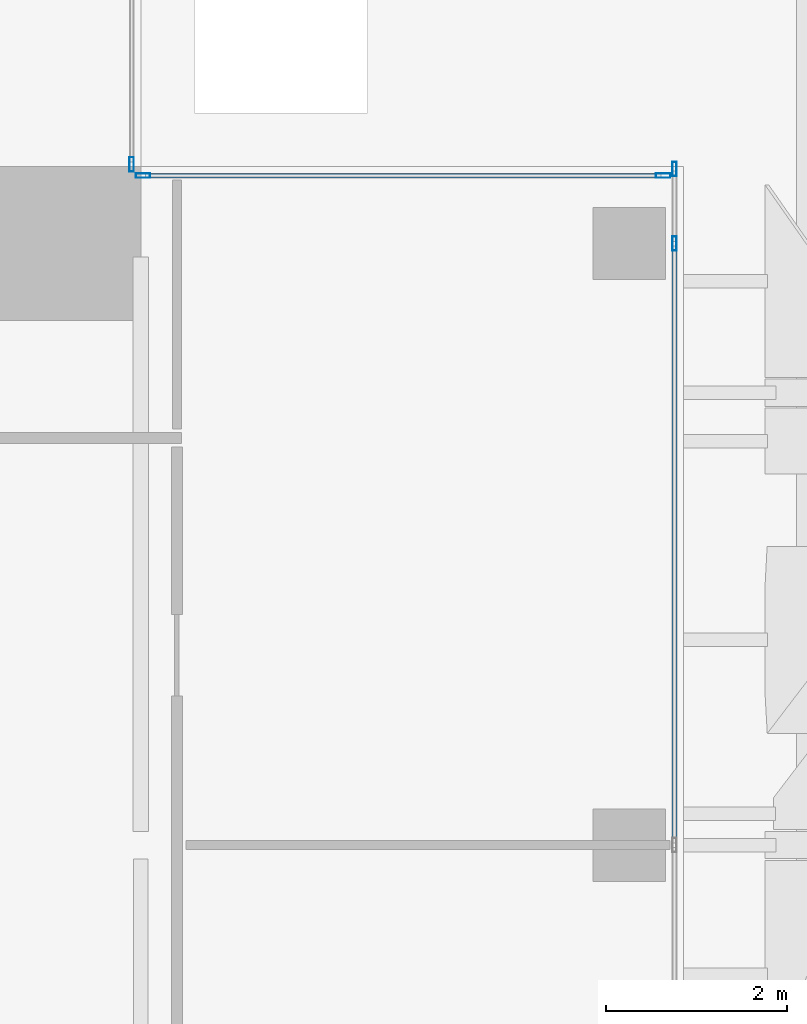
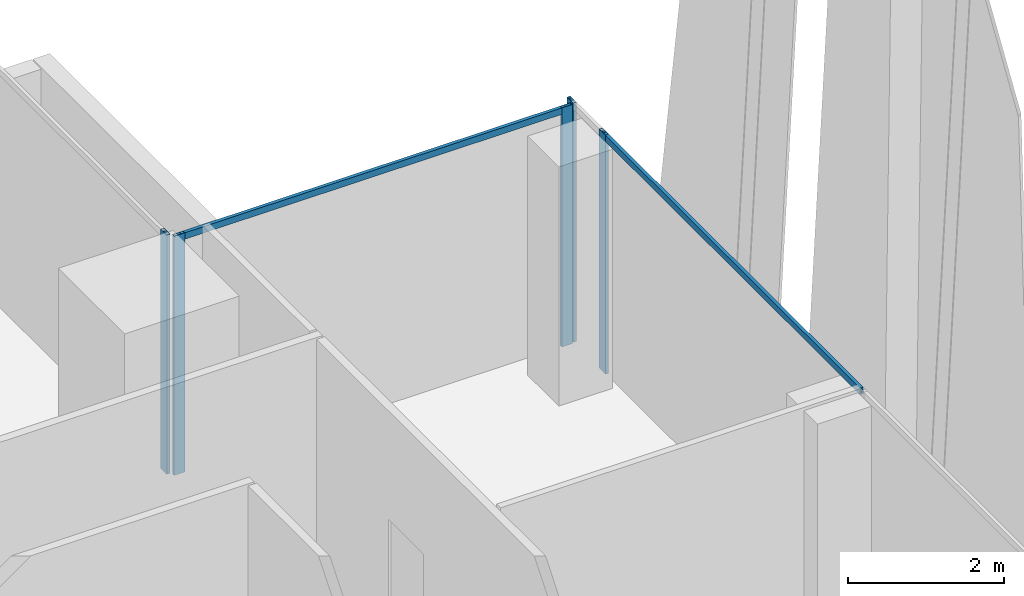
# One storey, part 17 of 32: 7 members, 3 elements without a shape of their own.
"""IFC4 building model written with IfcOpenShell, lengths in metres."""

from ifc_helpers import new_model, si_unit, direction, frame, origin, origin_2d, place, context, subcontext, project, spatial, hollow_rectangle, extrude, source, transform, mapped, material, material_profile, profile_set, type_object, element, aggregate, save


model = new_model("IFC4")

# Units and contexts
model_context = context("Model", 3, precision=1e-05, world=origin(), true_north=direction((0.0, 1.0)))
body_context = subcontext(model_context, "Body", "Model", "MODEL_VIEW")
ifc_project = project(units=[si_unit("LENGTHUNIT", "METRE"), si_unit("AREAUNIT", "SQUARE_METRE"), si_unit("VOLUMEUNIT", "CUBIC_METRE"), si_unit("PLANEANGLEUNIT", "RADIAN"), si_unit("MASSUNIT", "GRAM", prefix="KILO")], contexts=[model_context])

# Site, building, storey
site_placement = place(None, origin())
site = spatial("IfcSite", under=ifc_project, at=site_placement, CompositionType="ELEMENT")
building_placement = place(site_placement, origin())
building = spatial("IfcBuilding", under=site, at=building_placement, Name="Khomas Fold Tower", CompositionType="ELEMENT")
storey_placement = place(building_placement, frame((0.0, 0.0, 282.199951171875)))
storey = spatial("IfcBuildingStorey", under=building, at=storey_placement, Name="L63", CompositionType="ELEMENT", Elevation=282.199951171875)

# Curtain wall, members
ifc_material_1 = material(Name="Aluminium framed double glazing", Category="aluminium")
curtain_wall_type = type_object("IfcCurtainWallType", Name="SK-Unitised clear-glass wall, upper floors CW3", PredefinedType="NOTDEFINED", material=ifc_material_1)
curtain_wall_1_placement = place(storey_placement, origin())
curtain_wall_1 = element("IfcCurtainWall", 1, at=curtain_wall_1_placement, inside=storey, type_object=curtain_wall_type, Name="CW3 run L63 03-1", PredefinedType="NOTDEFINED")
ifc_material_2 = material(Name="Aluminium", Category="aluminium")
ifc_material_profile_1 = material_profile(ifc_material_2, hollow_rectangle(XDim=0.050048828125, YDim=0.159912109375, WallThickness=0.00390625, at=origin_2d()), Name="SK-Unitised clear-glass wall, upper floors mullion CW3-M")
ifc_profile_set_1 = profile_set([ifc_material_profile_1], Name="Aluminium")
member_type_1 = type_object("IfcMemberType", Name="SK-Unitised clear-glass wall, upper floors mullion CW3-M", PredefinedType="MULLION", material=ifc_profile_set_1)
shared_shape_1 = source(origin(), body_context, "Body", "SweptSolid", [
    extrude(hollow_rectangle(XDim=0.050048828125, YDim=0.159912109375, WallThickness=0.00390625, at=origin_2d()), origin(), (0.0, 0.0, 1.0), 3.75),
])
member_1_placement = place(storey_placement, frame((47.89990234375, 41.14990234375, 0.0), z_axis=(0.0, 0.0, 1.0), x_axis=(-1.0, 0.0, 0.0)))
member_1 = element("IfcMember", 2, at=member_1_placement, type_object=member_type_1, Name="CW3 mullion 4", PredefinedType="MULLION", context=body_context, shape_type="MappedRepresentation", body=[
    mapped(shared_shape_1, transform((0.0, 0.0, 0.0))),
])
member_2_placement = place(storey_placement, frame((47.89990234375, 41.97509765625, 0.0), z_axis=(0.0, 0.0, 1.0), x_axis=(-1.0, 0.0, 0.0)))
member_2 = element("IfcMember", 3, at=member_2_placement, type_object=member_type_1, Name="CW3 mullion 5", PredefinedType="MULLION", context=body_context, shape_type="MappedRepresentation", body=[
    mapped(shared_shape_1, transform((0.0, 0.0, 0.0))),
])

curtain_wall_2_placement = place(storey_placement, origin())
curtain_wall_2 = element("IfcCurtainWall", 4, at=curtain_wall_2_placement, inside=storey, type_object=curtain_wall_type, Name="CW3 corner return L63 04", PredefinedType="NOTDEFINED")
member_3_placement = place(storey_placement, frame((47.77490234375, 41.89990234375, 0.0), z_axis=(0.0, 0.0, 1.0), x_axis=(0.0, -1.0, 0.0)))
member_3 = element("IfcMember", 5, at=member_3_placement, type_object=member_type_1, Name="CW3 mullion 1", PredefinedType="MULLION", context=body_context, shape_type="MappedRepresentation", body=[
    mapped(shared_shape_1, transform((0.0, 0.0, 0.0))),
])
member_4_placement = place(storey_placement, frame((42.02490234375, 41.89990234375, 0.0), z_axis=(0.0, 0.0, 1.0), x_axis=(0.0, -1.0, 0.0)))
member_4 = element("IfcMember", 6, at=member_4_placement, type_object=member_type_1, Name="CW3 mullion 2", PredefinedType="MULLION", context=body_context, shape_type="MappedRepresentation", body=[
    mapped(shared_shape_1, transform((0.0, 0.0, 0.0))),
])

# Curtain wall, member
curtain_wall_3_placement = place(storey_placement, origin())
curtain_wall_3 = element("IfcCurtainWall", 7, at=curtain_wall_3_placement, inside=storey, type_object=curtain_wall_type, Name="CW3 corner return L63 05", PredefinedType="NOTDEFINED")
member_5_placement = place(storey_placement, frame((41.89990234375, 42.02490234375, 0.0), z_axis=(0.0, 0.0, 1.0), x_axis=(-1.0, 0.0, 0.0)))
member_5 = element("IfcMember", 8, at=member_5_placement, type_object=member_type_1, Name="CW3 mullion 1", PredefinedType="MULLION", context=body_context, shape_type="MappedRepresentation", body=[
    mapped(shared_shape_1, transform((0.0, 0.0, 0.0))),
])
aggregate(curtain_wall_3, [member_5])

# Member
ifc_material_3 = material(Name="Aluminium", Category="aluminium")
ifc_material_profile_2 = material_profile(ifc_material_3, hollow_rectangle(XDim=0.050048828125, YDim=0.10009765625, WallThickness=0.00390625, at=origin_2d()), Name="SK-Unitised clear-glass wall, upper floors transom CW3-T")
ifc_profile_set_2 = profile_set([ifc_material_profile_2], Name="Aluminium")
member_type_2 = type_object("IfcMemberType", Name="SK-Unitised clear-glass wall, upper floors transom CW3-T", PredefinedType="USERDEFINED", material=ifc_profile_set_2)
shared_shape_2 = source(origin(), body_context, "Body", "SweptSolid", [
    extrude(hollow_rectangle(XDim=0.050048828125, YDim=0.10009765625, WallThickness=0.00390625, at=origin_2d()), origin(), (0.0, 0.0, 1.0), 6.60009765625),
])
member_6_placement = place(storey_placement, frame((47.89990234375, 34.52490234375, 3.699951171875), z_axis=(0.0, 1.0, 0.0), x_axis=(-1.0, 0.0, 0.0)))
member_6 = element("IfcMember", 9, at=member_6_placement, type_object=member_type_2, Name="CW3 transom 3", ObjectType="TRANSOM", PredefinedType="USERDEFINED", context=body_context, shape_type="MappedRepresentation", body=[
    mapped(shared_shape_2, transform((0.0, 0.0, 0.0))),
])

aggregate(curtain_wall_1, [member_1, member_2, member_6])

shared_shape_3 = source(origin(), body_context, "Body", "SweptSolid", [
    extrude(hollow_rectangle(XDim=0.050048828125, YDim=0.10009765625, WallThickness=0.00390625, at=origin_2d()), origin(), (0.0, 0.0, 1.0), 5.699951171875),
])
member_7_placement = place(storey_placement, frame((47.75, 41.89990234375, 3.699951171875), z_axis=(-1.0, 0.0, 0.0), x_axis=(0.0, -1.0, 0.0)))
member_7 = element("IfcMember", 10, at=member_7_placement, type_object=member_type_2, Name="CW3 transom 1", ObjectType="TRANSOM", PredefinedType="USERDEFINED", context=body_context, shape_type="MappedRepresentation", body=[
    mapped(shared_shape_3, transform((0.0, 0.0, 0.0))),
])

aggregate(curtain_wall_2, [member_3, member_4, member_7])

save(model, "model.ifc")
